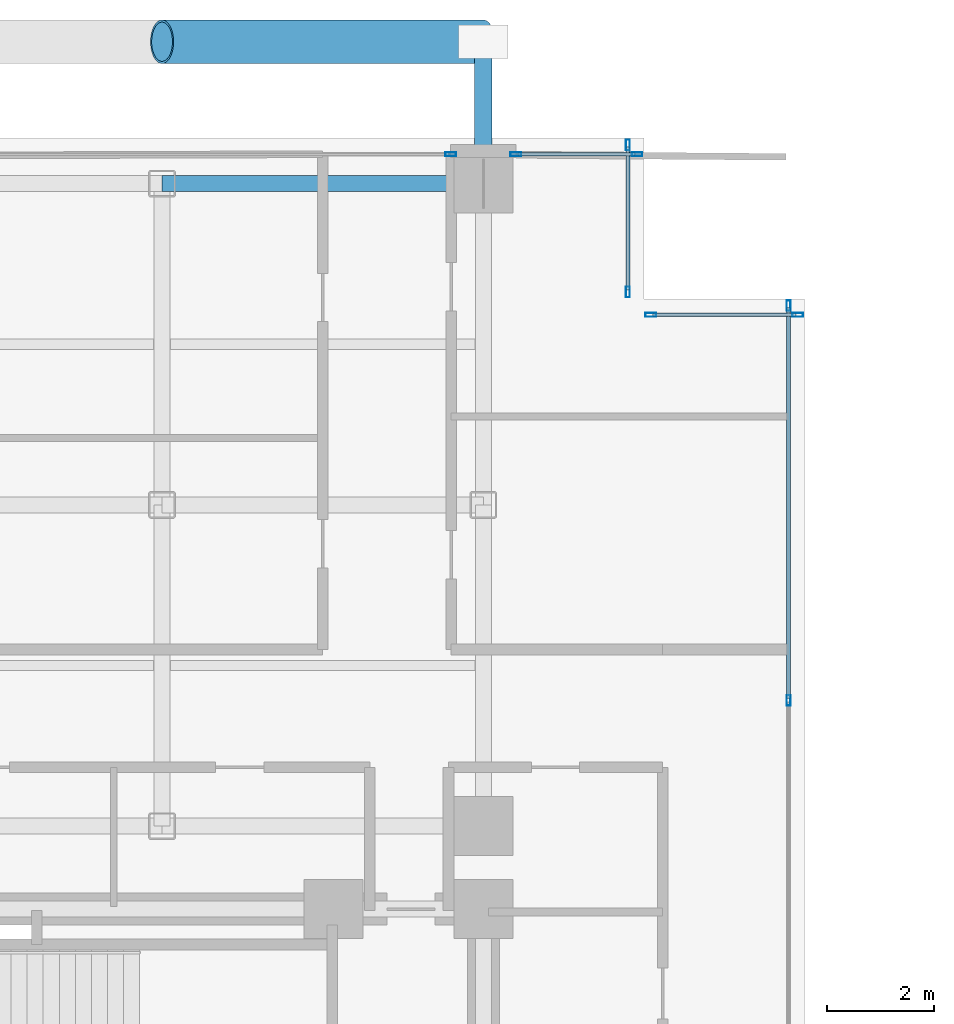
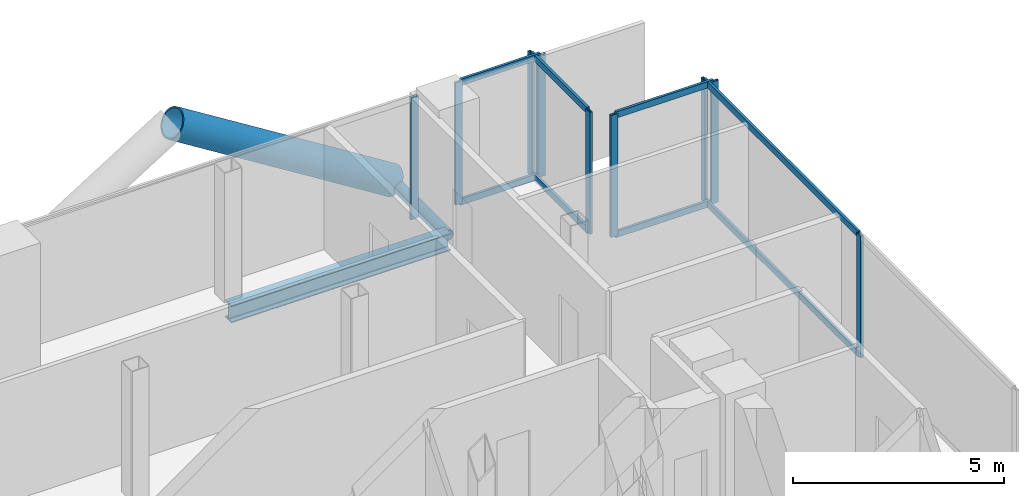
# One storey, part 17 of 28: 19 members, 1 beam, 5 elements without a shape of their own.
"""IFC4 building model written with IfcOpenShell, lengths in metres."""

import ifcopenshell
import ifcopenshell.guid

model = None  # the IFC model being written
_history = None  # IfcOwnerHistory: only IFC2X3 demands one
_inside = {}  # id of a spatial element -> (the spatial element, [elements in it])
_under = {}  # id of a project, library or spatial element -> (it, [spatial elements below it])
_declared = {}  # id of a project -> (the project, [libraries it declares])
_typed = {}  # id of a type object -> (the type object, [elements of that type])
_made_of = {}  # id of a material, layer set ... -> (it, [elements and type objects made of it])


def new_model(schema):
    """Start an empty IFC model of exactly this schema.

    Asked for "IFC4X3", IfcOpenShell would pick the latest addendum, in which some entities
    have other attributes; the version numbers below select the first issue.
    IFC2X3 requires an IfcOwnerHistory on every rooted entity: one is made here for all.
    """
    global model, _history
    if schema == "IFC4X3":
        model = ifcopenshell.file(schema_version=(4, 3, 0, 0))
    else:
        model = ifcopenshell.file(schema=schema)
    _inside.clear()
    _under.clear()
    _declared.clear()
    _typed.clear()
    _made_of.clear()
    _history = None
    if model.schema == "IFC2X3":
        org = make("IfcOrganization", Name="unknown")
        user = make(
            "IfcPersonAndOrganization",
            ThePerson=make("IfcPerson", FamilyName="unknown"),
            TheOrganization=org,
        )
        app = make(
            "IfcApplication",
            ApplicationDeveloper=org,
            Version="unknown",
            ApplicationFullName="unknown",
            ApplicationIdentifier="unknown",
        )
        _history = make(
            "IfcOwnerHistory",
            OwningUser=user,
            OwningApplication=app,
            ChangeAction="ADDED",
            CreationDate=0,
        )
    return model


def make(cls, **values):
    """One entity of the class cls with the attributes given. An attribute that is None is left unset."""
    return model.create_entity(
        cls, **{name: value for name, value in values.items() if value is not None}
    )


def rooted(cls, **values):
    """An entity with a GlobalId (a new one), such as an element, a storey or a relation."""
    return make(cls, GlobalId=ifcopenshell.guid.new(), OwnerHistory=_history, **values)


def si_unit(unit_type, name, prefix=None):
    """IfcSIUnit, for example si_unit("LENGTHUNIT", "METRE", prefix="MILLI")."""
    return make("IfcSIUnit", UnitType=unit_type, Prefix=prefix, Name=name)


def assignment(units):
    """IfcUnitAssignment: the units of a project."""
    return None if units is None else make("IfcUnitAssignment", Units=units)


def point(xyz):
    """IfcCartesianPoint."""
    return None if xyz is None else make("IfcCartesianPoint", Coordinates=xyz)


def direction(xyz):
    """IfcDirection."""
    return None if xyz is None else make("IfcDirection", DirectionRatios=xyz)


def frame(location, z_axis=None, x_axis=None):
    """IfcAxis2Placement3D, a coordinate frame: its origin and axes. An axis left out is left unset."""
    return make(
        "IfcAxis2Placement3D",
        Location=point(location),
        Axis=direction(z_axis),
        RefDirection=direction(x_axis),
    )


def frame_2d(location, x_axis=None):
    """IfcAxis2Placement2D, a coordinate frame in the plane: its origin and x axis."""
    return make(
        "IfcAxis2Placement2D", Location=point(location), RefDirection=direction(x_axis)
    )


def origin():
    """The frame at (0, 0, 0) with its axes left unset."""
    return frame((0.0, 0.0, 0.0))


def origin_2d():
    """The frame at (0, 0) in the plane with its x axis left unset."""
    return frame_2d((0.0, 0.0))


def place(relative_to, where):
    """IfcLocalPlacement: puts the frame where relative to a parent placement (None: the world)."""
    return make(
        "IfcLocalPlacement", PlacementRelTo=relative_to, RelativePlacement=where
    )


def context(
    kind, dimensions, precision=None, world=None, true_north=None, identifier=None
):
    """IfcGeometricRepresentationContext, for example the 3D "Model" context."""
    return make(
        "IfcGeometricRepresentationContext",
        ContextIdentifier=identifier,
        ContextType=kind,
        CoordinateSpaceDimension=dimensions,
        Precision=precision,
        WorldCoordinateSystem=world,
        TrueNorth=true_north,
    )


def subcontext(parent, identifier, kind, view, scale=None):
    """IfcGeometricRepresentationSubContext, for example "Body" below "Model"."""
    return make(
        "IfcGeometricRepresentationSubContext",
        ContextIdentifier=identifier,
        ContextType=kind,
        ParentContext=parent,
        TargetScale=scale,
        TargetView=view,
    )


def project(units=None, contexts=None):
    """IfcProject with its units and contexts."""
    return rooted(
        "IfcProject",
        Name="project",
        RepresentationContexts=contexts,
        UnitsInContext=assignment(units),
    )


def spatial(cls, under=None, at=None, **own):
    """A site, building, storey or space (cls), placed at a placement, below another one or the project."""
    s = rooted(cls, ObjectPlacement=at, **own)
    if under is not None:
        _under.setdefault(under.id(), (under, []))[1].append(s)
    return s


def profile(cls, at=None, kind="AREA", **sizes):
    """A parametric profile (cls). Its sizes go by their IFC names, for example OverallWidth=200.0."""
    return make(cls, ProfileType=kind, Position=at, **sizes)


def hollow_rectangle(**sizes):
    """IfcRectangleHollowProfileDef."""
    return profile("IfcRectangleHollowProfileDef", **sizes)


def hollow_circle(**sizes):
    """IfcCircleHollowProfileDef."""
    return profile("IfcCircleHollowProfileDef", **sizes)


def i_section(**sizes):
    """IfcIShapeProfileDef."""
    return profile("IfcIShapeProfileDef", **sizes)


def extrude(swept, where, along, depth):
    """IfcExtrudedAreaSolid: the profile swept, set in the frame where, extruded along a direction by depth."""
    return make(
        "IfcExtrudedAreaSolid",
        SweptArea=swept,
        Position=where,
        ExtrudedDirection=direction(along),
        Depth=depth,
    )


def shape(context_of_items, identifier, shape_type, items):
    """IfcShapeRepresentation: the items that make up one representation, for example the "Body"."""
    return make(
        "IfcShapeRepresentation",
        ContextOfItems=context_of_items,
        RepresentationIdentifier=identifier,
        RepresentationType=shape_type,
        Items=items,
    )


def material(Name=None, Category=None):
    """IfcMaterial."""
    return make("IfcMaterial", Name=Name, Category=Category)


def layer(
    of_material, thickness, ventilated=None, Name=None, Category=None, Priority=None
):
    """IfcMaterialLayer: one layer of a wall or slab, of a material (None: an air gap)."""
    return make(
        "IfcMaterialLayer",
        Material=of_material,
        LayerThickness=thickness,
        IsVentilated=ventilated,
        Name=Name,
        Category=Category,
        Priority=Priority,
    )


def layer_set(layers, Name=None):
    """IfcMaterialLayerSet."""
    return make("IfcMaterialLayerSet", MaterialLayers=layers, LayerSetName=Name)


def material_profile(
    of_material, cross_section, Name=None, Category=None, Priority=None
):
    """IfcMaterialProfile: a cross section and its material."""
    return make(
        "IfcMaterialProfile",
        Name=Name,
        Material=of_material,
        Profile=cross_section,
        Priority=Priority,
        Category=Category,
    )


def profile_set(profiles, Name=None, composite=None):
    """IfcMaterialProfileSet."""
    return make(
        "IfcMaterialProfileSet",
        Name=Name,
        MaterialProfiles=profiles,
        CompositeProfile=composite,
    )


def made_of(thing, what):
    """Note that an element or type object is made of a material, layer set ...; save() writes the relation."""
    if what is not None:
        _made_of.setdefault(what.id(), (what, []))[1].append(thing)
    return thing


def type_object(cls, material=None, **own):
    """A type object (cls), such as IfcWallType, which elements share."""
    return made_of(rooted(cls, **own), material)


def element(
    cls,
    number,
    at=None,
    inside=None,
    cuts=None,
    type_object=None,
    material=None,
    context=None,
    identifier="Body",
    shape_type=None,
    held_by="IfcProductDefinitionShape",
    body=None,
    shapes=None,
    **own,
):
    """One element of the class cls, such as IfcWall. Its Tag is "e" and its number.

    at: its placement. inside: the storey or other place that contains it. cuts: it is an
    opening in that element (IfcRelVoidsElement). A single representation is given by context,
    identifier, shape_type and body (its items); several are given by shapes. held_by: the class
    of the entity that holds the representations. save() writes the other relations.
    """
    e = rooted(cls, Tag="e%d" % number, ObjectPlacement=at, **own)
    if body is not None:
        shapes = [shape(context, identifier, shape_type, body)]
    if shapes is not None:
        e.Representation = make(held_by, Representations=shapes)
    if inside is not None:
        _inside.setdefault(inside.id(), (inside, []))[1].append(e)
    if cuts is not None:
        rooted(
            "IfcRelVoidsElement", RelatingBuildingElement=cuts, RelatedOpeningElement=e
        )
    if type_object is not None:
        _typed.setdefault(type_object.id(), (type_object, []))[1].append(e)
    return made_of(e, material)


def aggregate(whole, parts):
    """IfcRelAggregates: a whole, such as a stair, and the parts it consists of."""
    return rooted("IfcRelAggregates", RelatingObject=whole, RelatedObjects=parts)


def save(model, path):
    """Write the relations noted so far, then the file.

    IfcRelAggregates (storeys below a building ...), IfcRelContainedInSpatialStructure (elements
    in a storey), IfcRelDefinesByType, IfcRelAssociatesMaterial and IfcRelDeclares: one each for
    every whole, place, type object, material and project.
    """
    for whole, parts in _under.values():
        aggregate(whole, parts)
    for where, things in _inside.values():
        rooted(
            "IfcRelContainedInSpatialStructure",
            RelatedElements=things,
            RelatingStructure=where,
        )
    for kind, things in _typed.values():
        rooted("IfcRelDefinesByType", RelatedObjects=things, RelatingType=kind)
    for what, things in _made_of.values():
        rooted("IfcRelAssociatesMaterial", RelatedObjects=things, RelatingMaterial=what)
    for by, libraries in _declared.values():
        rooted("IfcRelDeclares", RelatingContext=by, RelatedDefinitions=libraries)
    model.write(path)


model = new_model("IFC4")

# Units and contexts
model_context = context("Model", 3, precision=1e-05, world=origin(), true_north=direction((0.0, 1.0)))
body_context = subcontext(model_context, "Body", "Model", "MODEL_VIEW")
ifc_project = project(units=[si_unit("LENGTHUNIT", "METRE"), si_unit("AREAUNIT", "SQUARE_METRE"), si_unit("VOLUMEUNIT", "CUBIC_METRE"), si_unit("PLANEANGLEUNIT", "RADIAN"), si_unit("MASSUNIT", "GRAM", prefix="KILO"), si_unit("THERMODYNAMICTEMPERATUREUNIT", "KELVIN"), si_unit("POWERUNIT", "WATT")], contexts=[model_context])

# Site, building, storey
site_placement = place(None, origin())
site = spatial("IfcSite", under=ifc_project, at=site_placement, CompositionType="ELEMENT")
building_placement = place(site_placement, origin())
building = spatial("IfcBuilding", under=site, at=building_placement, Name="Svarakhadi Broadcast Tower", CompositionType="ELEMENT")
storey_placement = place(building_placement, frame((0.0, 0.0, 149.39990234375)))
storey = spatial("IfcBuildingStorey", under=building, at=storey_placement, Name="L36", CompositionType="ELEMENT", Elevation=149.39990234375)

# Curtain wall, member
ifc_material_1 = material(Name="Anodised Bronze Aluminium AA 6063-T6", Category="aluminium")
ifc_layer = layer(ifc_material_1, 0.199951171875)
ifc_layer_set = layer_set([ifc_layer], Name="Anodised Bronze Aluminium AA 6063-T6")
curtain_wall_type = type_object("IfcCurtainWallType", Name="CW_Sys_03", PredefinedType="NOTDEFINED", material=ifc_layer_set)
curtain_wall_1_placement = place(storey_placement, origin())
curtain_wall_1 = element("IfcCurtainWall", 1, at=curtain_wall_1_placement, inside=storey, type_object=curtain_wall_type, Name="L36 Unitised Facade Curtain Wall 06 Bay 2", PredefinedType="NOTDEFINED")
ifc_material_profile_1 = material_profile(ifc_material_1, hollow_rectangle(XDim=0.074951171875, YDim=0.199951171875, WallThickness=0.005615234375, at=origin_2d()), Name="ALU MULLION 200x75x6")
ifc_profile_set_1 = profile_set([ifc_material_profile_1], Name="Anodised Bronze Aluminium AA 6063-T6")
member_type_1 = type_object("IfcMemberType", Name="CW_Sys_03_Mul", PredefinedType="MULLION", material=ifc_profile_set_1)
member_1_placement = place(storey_placement, frame((17.392578125, 41.699951171875, 0.0), z_axis=(0.0, 0.0, 1.0), x_axis=(0.0, 1.0, 0.0)))
member_1 = element("IfcMember", 2, at=member_1_placement, type_object=member_type_1, Name="CW-03 mullion 2", PredefinedType="MULLION", context=body_context, shape_type="SweptSolid", body=[
    extrude(hollow_rectangle(XDim=0.074951171875, YDim=0.199951171875, WallThickness=0.005615234375, at=origin_2d()), origin(), (0.0, 0.0, 1.0), 3.525146484375),
])
aggregate(curtain_wall_1, [member_1])

# Curtain wall, members
curtain_wall_2_placement = place(storey_placement, origin())
curtain_wall_2 = element("IfcCurtainWall", 3, at=curtain_wall_2_placement, inside=storey, type_object=curtain_wall_type, Name="L36 Unitised Facade Curtain Wall 06 Bay 3", PredefinedType="NOTDEFINED")
member_2_placement = place(storey_placement, frame((18.607421875, 41.699951171875, 0.0), z_axis=(0.0, 0.0, 1.0), x_axis=(0.0, 1.0, 0.0)))
member_2 = element("IfcMember", 4, at=member_2_placement, type_object=member_type_1, Name="CW-03 mullion 1", PredefinedType="MULLION", context=body_context, shape_type="SweptSolid", body=[
    extrude(hollow_rectangle(XDim=0.074951171875, YDim=0.199951171875, WallThickness=0.005615234375, at=origin_2d()), origin(), (0.0, 0.0, 1.0), 3.525146484375),
])
member_3_placement = place(storey_placement, frame((20.87255859375, 41.699951171875, 0.0), z_axis=(0.0, 0.0, 1.0), x_axis=(0.0, 1.0, 0.0)))
member_3 = element("IfcMember", 5, at=member_3_placement, type_object=member_type_1, Name="CW-03 mullion 2", PredefinedType="MULLION", context=body_context, shape_type="SweptSolid", body=[
    extrude(hollow_rectangle(XDim=0.074951171875, YDim=0.199951171875, WallThickness=0.005615234375, at=origin_2d()), origin(), (0.0, 0.0, 1.0), 3.525146484375),
])

curtain_wall_3_placement = place(storey_placement, origin())
curtain_wall_3 = element("IfcCurtainWall", 6, at=curtain_wall_3_placement, inside=storey, type_object=curtain_wall_type, Name="L36 Unitised Facade Curtain Wall 07", PredefinedType="NOTDEFINED")
member_4_placement = place(storey_placement, frame((20.699951171875, 41.87255859375, 0.0), z_axis=(0.0, 0.0, 1.0), x_axis=(1.0, 0.0, 0.0)))
member_4 = element("IfcMember", 7, at=member_4_placement, type_object=member_type_1, Name="CW-03 mullion 1", PredefinedType="MULLION", context=body_context, shape_type="SweptSolid", body=[
    extrude(hollow_rectangle(XDim=0.074951171875, YDim=0.199951171875, WallThickness=0.005615234375, at=origin_2d()), origin(), (0.0, 0.0, 1.0), 3.525146484375),
])
member_5_placement = place(storey_placement, frame((20.699951171875, 39.12744140625, 0.0), z_axis=(0.0, 0.0, 1.0), x_axis=(1.0, 0.0, 0.0)))
member_5 = element("IfcMember", 8, at=member_5_placement, type_object=member_type_1, Name="CW-03 mullion 2", PredefinedType="MULLION", context=body_context, shape_type="SweptSolid", body=[
    extrude(hollow_rectangle(XDim=0.074951171875, YDim=0.199951171875, WallThickness=0.005615234375, at=origin_2d()), origin(), (0.0, 0.0, 1.0), 3.525146484375),
])

curtain_wall_4_placement = place(storey_placement, origin())
curtain_wall_4 = element("IfcCurtainWall", 9, at=curtain_wall_4_placement, inside=storey, type_object=curtain_wall_type, Name="L36 Unitised Facade Curtain Wall 08", PredefinedType="NOTDEFINED")
member_6_placement = place(storey_placement, frame((21.12744140625, 38.699951171875, 0.0), z_axis=(0.0, 0.0, 1.0), x_axis=(0.0, 1.0, 0.0)))
member_6 = element("IfcMember", 10, at=member_6_placement, type_object=member_type_1, Name="CW-03 mullion 1", PredefinedType="MULLION", context=body_context, shape_type="SweptSolid", body=[
    extrude(hollow_rectangle(XDim=0.074951171875, YDim=0.199951171875, WallThickness=0.005615234375, at=origin_2d()), origin(), (0.0, 0.0, 1.0), 3.525146484375),
])
member_7_placement = place(storey_placement, frame((23.87255859375, 38.699951171875, 0.0), z_axis=(0.0, 0.0, 1.0), x_axis=(0.0, 1.0, 0.0)))
member_7 = element("IfcMember", 11, at=member_7_placement, type_object=member_type_1, Name="CW-03 mullion 2", PredefinedType="MULLION", context=body_context, shape_type="SweptSolid", body=[
    extrude(hollow_rectangle(XDim=0.074951171875, YDim=0.199951171875, WallThickness=0.005615234375, at=origin_2d()), origin(), (0.0, 0.0, 1.0), 3.525146484375),
])

curtain_wall_5_placement = place(storey_placement, origin())
curtain_wall_5 = element("IfcCurtainWall", 12, at=curtain_wall_5_placement, inside=storey, type_object=curtain_wall_type, Name="L36 Unitised Facade Curtain Wall 09", PredefinedType="NOTDEFINED")
member_8_placement = place(storey_placement, frame((23.699951171875, 38.87255859375, 0.0), z_axis=(0.0, 0.0, 1.0), x_axis=(1.0, 0.0, 0.0)))
member_8 = element("IfcMember", 13, at=member_8_placement, type_object=member_type_1, Name="CW-03 mullion 1", PredefinedType="MULLION", context=body_context, shape_type="SweptSolid", body=[
    extrude(hollow_rectangle(XDim=0.074951171875, YDim=0.199951171875, WallThickness=0.005615234375, at=origin_2d()), origin(), (0.0, 0.0, 1.0), 3.525146484375),
])
member_9_placement = place(storey_placement, frame((23.699951171875, 31.5, 0.0), z_axis=(0.0, 0.0, 1.0), x_axis=(1.0, 0.0, 0.0)))
member_9 = element("IfcMember", 14, at=member_9_placement, type_object=member_type_1, Name="CW-03 mullion 2", PredefinedType="MULLION", context=body_context, shape_type="SweptSolid", body=[
    extrude(hollow_rectangle(XDim=0.074951171875, YDim=0.199951171875, WallThickness=0.005615234375, at=origin_2d()), origin(), (0.0, 0.0, 1.0), 3.525146484375),
])

# Member
ifc_material_profile_2 = material_profile(ifc_material_1, hollow_rectangle(XDim=0.070068359375, YDim=0.18505859375, WallThickness=0.0048828125, at=origin_2d()), Name="ALU TRANSOM 185x70x5")
ifc_profile_set_2 = profile_set([ifc_material_profile_2], Name="Anodised Bronze Aluminium AA 6063-T6")
member_type_2 = type_object("IfcMemberType", Name="CW_Sys_03_Trn", PredefinedType="USERDEFINED", material=ifc_profile_set_2)
member_10_placement = place(storey_placement, frame((18.64501953125, 41.699951171875, 0.03515625), z_axis=(1.0, 0.0, 0.0), x_axis=(0.0, 1.0, 0.0)))
member_10 = element("IfcMember", 15, at=member_10_placement, type_object=member_type_2, Name="CW-03 transom 1.1", ObjectType="TRANSOM", PredefinedType="USERDEFINED", context=body_context, shape_type="SweptSolid", body=[
    extrude(hollow_rectangle(XDim=0.070068359375, YDim=0.18505859375, WallThickness=0.0048828125, at=origin_2d()), origin(), (0.0, 0.0, 1.0), 2.18994140625),
])

member_11_placement = place(storey_placement, frame((18.64501953125, 41.699951171875, 3.489990234375), z_axis=(1.0, 0.0, 0.0), x_axis=(0.0, 1.0, 0.0)))
member_11 = element("IfcMember", 16, at=member_11_placement, type_object=member_type_2, Name="CW-03 transom 1.2", ObjectType="TRANSOM", PredefinedType="USERDEFINED", context=body_context, shape_type="SweptSolid", body=[
    extrude(hollow_rectangle(XDim=0.070068359375, YDim=0.18505859375, WallThickness=0.0048828125, at=origin_2d()), origin(), (0.0, 0.0, 1.0), 2.18994140625),
])

aggregate(curtain_wall_2, [member_2, member_3, member_10, member_11])

member_12_placement = place(storey_placement, frame((20.699951171875, 41.8349609375, 0.03515625), z_axis=(0.0, -1.0, 0.0), x_axis=(1.0, 0.0, 0.0)))
member_12 = element("IfcMember", 17, at=member_12_placement, type_object=member_type_2, Name="CW-03 transom 1.1", ObjectType="TRANSOM", PredefinedType="USERDEFINED", context=body_context, shape_type="SweptSolid", body=[
    extrude(hollow_rectangle(XDim=0.070068359375, YDim=0.18505859375, WallThickness=0.0048828125, at=origin_2d()), origin(), (0.0, 0.0, 1.0), 2.669921875),
])

member_13_placement = place(storey_placement, frame((20.699951171875, 41.8349609375, 3.489990234375), z_axis=(0.0, -1.0, 0.0), x_axis=(1.0, 0.0, 0.0)))
member_13 = element("IfcMember", 18, at=member_13_placement, type_object=member_type_2, Name="CW-03 transom 1.2", ObjectType="TRANSOM", PredefinedType="USERDEFINED", context=body_context, shape_type="SweptSolid", body=[
    extrude(hollow_rectangle(XDim=0.070068359375, YDim=0.18505859375, WallThickness=0.0048828125, at=origin_2d()), origin(), (0.0, 0.0, 1.0), 2.669921875),
])

aggregate(curtain_wall_3, [member_4, member_5, member_12, member_13])

member_14_placement = place(storey_placement, frame((21.1650390625, 38.699951171875, 0.03515625), z_axis=(1.0, 0.0, 0.0), x_axis=(0.0, 1.0, 0.0)))
member_14 = element("IfcMember", 19, at=member_14_placement, type_object=member_type_2, Name="CW-03 transom 1.1", ObjectType="TRANSOM", PredefinedType="USERDEFINED", context=body_context, shape_type="SweptSolid", body=[
    extrude(hollow_rectangle(XDim=0.070068359375, YDim=0.18505859375, WallThickness=0.0048828125, at=origin_2d()), origin(), (0.0, 0.0, 1.0), 2.669921875),
])

member_15_placement = place(storey_placement, frame((21.1650390625, 38.699951171875, 3.489990234375), z_axis=(1.0, 0.0, 0.0), x_axis=(0.0, 1.0, 0.0)))
member_15 = element("IfcMember", 20, at=member_15_placement, type_object=member_type_2, Name="CW-03 transom 1.2", ObjectType="TRANSOM", PredefinedType="USERDEFINED", context=body_context, shape_type="SweptSolid", body=[
    extrude(hollow_rectangle(XDim=0.070068359375, YDim=0.18505859375, WallThickness=0.0048828125, at=origin_2d()), origin(), (0.0, 0.0, 1.0), 2.669921875),
])

aggregate(curtain_wall_4, [member_6, member_7, member_14, member_15])

member_16_placement = place(storey_placement, frame((23.699951171875, 38.8349609375, 0.03515625), z_axis=(0.0, -1.0, 0.0), x_axis=(1.0, 0.0, 0.0)))
member_16 = element("IfcMember", 21, at=member_16_placement, type_object=member_type_2, Name="CW-03 transom 1.1", ObjectType="TRANSOM", PredefinedType="USERDEFINED", context=body_context, shape_type="SweptSolid", body=[
    extrude(hollow_rectangle(XDim=0.070068359375, YDim=0.18505859375, WallThickness=0.0048828125, at=origin_2d()), origin(), (0.0, 0.0, 1.0), 7.29736328125),
])

member_17_placement = place(storey_placement, frame((23.699951171875, 38.8349609375, 3.489990234375), z_axis=(0.0, -1.0, 0.0), x_axis=(1.0, 0.0, 0.0)))
member_17 = element("IfcMember", 22, at=member_17_placement, type_object=member_type_2, Name="CW-03 transom 1.2", ObjectType="TRANSOM", PredefinedType="USERDEFINED", context=body_context, shape_type="SweptSolid", body=[
    extrude(hollow_rectangle(XDim=0.070068359375, YDim=0.18505859375, WallThickness=0.0048828125, at=origin_2d()), origin(), (0.0, 0.0, 1.0), 7.29736328125),
])

aggregate(curtain_wall_5, [member_8, member_9, member_16, member_17])

# Members
ifc_material_2 = material(Name="Steel S460ML (IS 2062 E450BR)", Category="steel")
ifc_material_profile_3 = material_profile(ifc_material_2, hollow_circle(Radius=0.406494140625, WallThickness=0.0400390625, at=origin_2d()), Name="CHS 813x40")
ifc_profile_set_3 = profile_set([ifc_material_profile_3], Name="Steel S460ML (IS 2062 E450BR)")
member_type_3 = type_object("IfcMemberType", Name="Exo_Brace_CHS813", PredefinedType="BRACE", material=ifc_profile_set_3)
member_18_placement = place(storey_placement, frame((18.0, 43.800048828125, -0.386962890625), z_axis=(-0.847998304005, 0.0, 0.529998940003), x_axis=(0.0, -1.0, 0.0)))
element("IfcMember", 23, at=member_18_placement, inside=storey, type_object=member_type_3, Name="L36 Exposed Bronze Exoskeleton Diagonal N11", PredefinedType="BRACE", context=body_context, shape_type="SweptSolid", body=[
    extrude(hollow_circle(Radius=0.406494140625, WallThickness=0.0400390625, at=origin_2d()), origin(), (0.0, 0.0, 1.0), 7.075439453125),
])
ifc_material_profile_4 = material_profile(ifc_material_2, hollow_circle(Radius=0.161865234375, WallThickness=0.01611328125, at=origin_2d()), Name="CHS 323.9x16")
ifc_profile_set_4 = profile_set([ifc_material_profile_4], Name="Steel S460ML (IS 2062 E450BR)")
member_type_4 = type_object("IfcMemberType", Name="Exo_Radial_Strut_Z2", PredefinedType="STRUT", material=ifc_profile_set_4)
member_19_placement = place(storey_placement, frame((18.0, 43.800048828125, -0.386962890625), z_axis=(0.0, -1.0, 0.0), x_axis=(1.0, 0.0, 0.0)))
element("IfcMember", 24, at=member_19_placement, inside=storey, type_object=member_type_4, Name="L36 Exoskeleton Radial Tie Strut N11", PredefinedType="STRUT", context=body_context, shape_type="SweptSolid", body=[
    extrude(hollow_circle(Radius=0.161865234375, WallThickness=0.01611328125, at=origin_2d()), origin(), (0.0, 0.0, 1.0), 2.650146484375),
])

# Beam
ifc_material_3 = material(Name="Steel S355J2 (IS 2062 E350C)", Category="steel")
ifc_material_profile_5 = material_profile(ifc_material_3, i_section(OverallWidth=0.300048828125, OverallDepth=0.5, WebThickness=0.014404296875, FlangeThickness=0.028076171875, FilletRadius=0.027099609375, at=origin_2d()), Name="WPB 500x300x187")
ifc_profile_set_5 = profile_set([ifc_material_profile_5], Name="Steel S355J2 (IS 2062 E350C)")
beam_type = type_object("IfcBeamType", Name="Girder_WPB500", PredefinedType="USERDEFINED", material=ifc_profile_set_5)
beam_placement = place(storey_placement, frame((12.0, 41.14990234375, -0.474853515625), z_axis=(1.0, 0.0, 0.0), x_axis=(0.0, 1.0, 0.0)))
element("IfcBeam", 25, at=beam_placement, inside=storey, type_object=beam_type, Name="L36 Primary E-W Girder G039", ObjectType="GIRDER", PredefinedType="USERDEFINED", context=body_context, shape_type="SweptSolid", body=[
    extrude(i_section(OverallWidth=0.300048828125, OverallDepth=0.5, WebThickness=0.014404296875, FlangeThickness=0.028076171875, FilletRadius=0.027099609375, at=origin_2d()), origin(), (0.0, 0.0, 1.0), 6.0),
])

save(model, "model.ifc")
